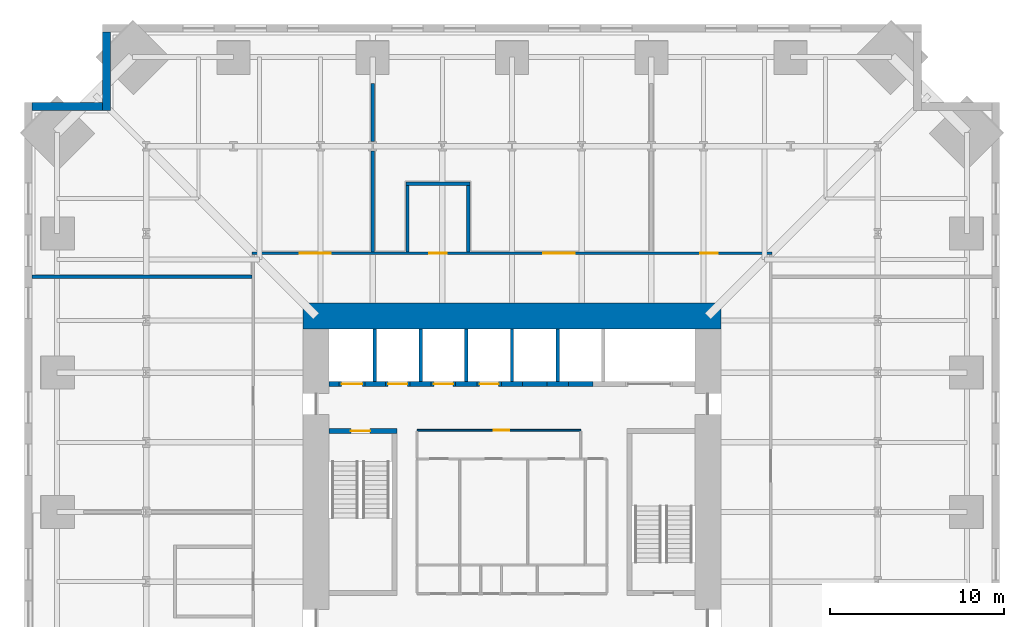
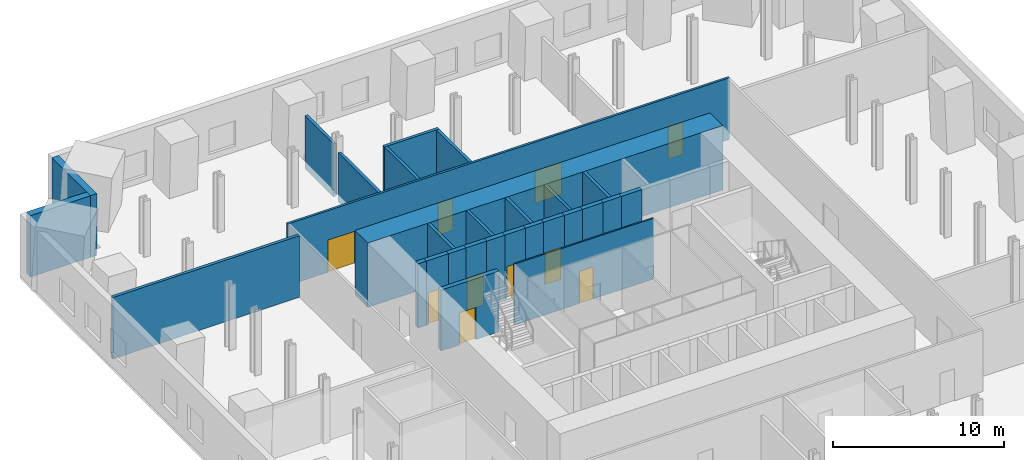
# One storey, part 6 of 8: 29 walls, 10 doors, 10 openings.
"""IFC4 building model written with IfcOpenShell, lengths in metres."""

from ifc_helpers import new_model, si_unit, direction, frame, frame_2d, origin, place, context, subcontext, project, spatial, rectangle, extrude, material, layer, layer_set, type_object, element, fill, save


model = new_model("IFC4")

# Units and contexts
model_context = context("Model", 3, precision=1e-05, world=origin(), true_north=direction((0.0, 1.0)))
body_context = subcontext(model_context, "Body", "Model", "MODEL_VIEW")
ifc_project = project(units=[si_unit("LENGTHUNIT", "METRE"), si_unit("AREAUNIT", "SQUARE_METRE"), si_unit("VOLUMEUNIT", "CUBIC_METRE"), si_unit("PLANEANGLEUNIT", "RADIAN"), si_unit("MASSUNIT", "GRAM", prefix="KILO")], contexts=[model_context])

# Site, building, storey
site_placement = place(None, origin())
site = spatial("IfcSite", under=ifc_project, at=site_placement, CompositionType="ELEMENT")
building_placement = place(site_placement, origin())
building = spatial("IfcBuilding", under=site, at=building_placement, Name="Peilmerk Tower", CompositionType="ELEMENT")
storey_placement = place(building_placement, frame((0.0, 0.0, 118.199951171875)))
storey = spatial("IfcBuildingStorey", under=building, at=storey_placement, Name="L23", CompositionType="ELEMENT", Elevation=118.199951171875)

# Walls
ifc_material_1 = material(Name="Precast concrete C45/55, board-marked finish", Category="concrete")
ifc_layer_1 = layer(ifc_material_1, 0.449951171875)
ifc_layer_set_1 = layer_set([ifc_layer_1], Name="Precast concrete C45/55, board-marked finish")
wall_type_1 = type_object("IfcWallType", Name="EW1 450 precast concrete facade wall, board-marked", PredefinedType="SOLIDWALL", material=ifc_layer_set_1)
wall_1_placement = place(storey_placement, frame((-23.27490234375, 23.050048828125, 0.0), z_axis=(0.0, 0.0, 1.0), x_axis=(0.0, 1.0, 0.0)))
element("IfcWall", 1, at=wall_1_placement, inside=storey, type_object=wall_type_1, Name="Facade wall NWA L23", PredefinedType="SOLIDWALL", context=body_context, shape_type="SweptSolid", body=[
    extrude(rectangle(XDim=4.5, YDim=0.449951171875, at=frame_2d((2.25, 0.0))), origin(), (0.0, 0.0, 1.0), 4.400146484375),
])
wall_2_placement = place(storey_placement, frame((-23.5, 23.27490234375, 0.0), z_axis=(0.0, 0.0, 1.0), x_axis=(-1.0, 0.0, 0.0)))
element("IfcWall", 2, at=wall_2_placement, inside=storey, type_object=wall_type_1, Name="Facade wall NWB L23", PredefinedType="SOLIDWALL", context=body_context, shape_type="SweptSolid", body=[
    extrude(rectangle(XDim=4.050048828125, YDim=0.449951171875, at=frame_2d((2.02490234375, 0.0))), origin(), (0.0, 0.0, 1.0), 4.400146484375),
])

# Wall, openings, doors
ifc_material_2 = material(Name="Calcium silicate block", Category="masonry")
ifc_layer_2 = layer(ifc_material_2, 0.14990234375)
ifc_layer_set_2 = layer_set([ifc_layer_2], Name="Calcium silicate block")
wall_type_2 = type_object("IfcWallType", Name="IW1 150 corridor partition, EI 60", PredefinedType="PARTITIONING", material=ifc_layer_set_2)
wall_3_placement = place(storey_placement, frame((-14.925048828125, 14.85009765625, 0.0), z_axis=(0.0, 0.0, 1.0), x_axis=(1.0, 0.0, 0.0)))
wall_3 = element("IfcWall", 3, at=wall_3_placement, inside=storey, type_object=wall_type_2, Name="Corridor wall N L23", PredefinedType="PARTITIONING", context=body_context, shape_type="SweptSolid", body=[
    extrude(rectangle(XDim=29.85009765625, YDim=0.14990234375, at=frame_2d((14.925048828125, 0.0))), origin(), (0.0, 0.0, 1.0), 4.400146484375),
])
opening_1_placement = place(wall_3_placement, frame((2.72509765625, 0.0, 0.0)))
opening_1 = element("IfcOpeningElement", 4, at=opening_1_placement, cuts=wall_3, Name="Opening D2", PredefinedType="OPENING", context=body_context, shape_type="SweptSolid", body=[
    extrude(rectangle(XDim=1.800048828125, YDim=2.300048828125, at=frame_2d((0.89990234375, 1.14990234375))), frame((0.0, 0.0849609375, 0.0), z_axis=(0.0, -1.0, 0.0), x_axis=(1.0, 0.0, 0.0)), (0.0, 0.0, 1.0), 0.169921875),
])
opening_2_placement = place(wall_3_placement, frame((16.72509765625, 0.0, 0.0)))
opening_2 = element("IfcOpeningElement", 5, at=opening_2_placement, cuts=wall_3, Name="Opening D2", PredefinedType="OPENING", context=body_context, shape_type="SweptSolid", body=[
    extrude(rectangle(XDim=1.800048828125, YDim=2.300048828125, at=frame_2d((0.89990234375, 1.14990234375))), frame((0.0, 0.0849609375, 0.0), z_axis=(0.0, -1.0, 0.0), x_axis=(1.0, 0.0, 0.0)), (0.0, 0.0, 1.0), 0.169921875),
])
opening_3_placement = place(wall_3_placement, frame((25.72509765625, 0.0, 0.0)))
opening_3 = element("IfcOpeningElement", 6, at=opening_3_placement, cuts=wall_3, Name="Opening D1", PredefinedType="OPENING", context=body_context, shape_type="SweptSolid", body=[
    extrude(rectangle(XDim=1.0, YDim=2.300048828125, at=frame_2d((0.5, 1.14990234375))), frame((0.0, 0.0849609375, 0.0), z_axis=(0.0, -1.0, 0.0), x_axis=(1.0, 0.0, 0.0)), (0.0, 0.0, 1.0), 0.169921875),
])
opening_4_placement = place(wall_3_placement, frame((10.175048828125, 0.0, 0.0)))
opening_4 = element("IfcOpeningElement", 7, at=opening_4_placement, cuts=wall_3, Name="Opening D1", PredefinedType="OPENING", context=body_context, shape_type="SweptSolid", body=[
    extrude(rectangle(XDim=1.0, YDim=2.300048828125, at=frame_2d((0.5, 1.14990234375))), frame((0.0, 0.0849609375, 0.0), z_axis=(0.0, -1.0, 0.0), x_axis=(1.0, 0.0, 0.0)), (0.0, 0.0, 1.0), 0.169921875),
])
ifc_material_3 = material(Name="Timber door in steel frame", Category="steel")
door_type_1 = type_object("IfcDoorType", Name="D1 1000x2300 room door, EI2 30", OperationType="SINGLE_SWING_LEFT", PredefinedType="DOOR", material=ifc_material_3)
door_1_placement = place(opening_3_placement, origin())
door_1 = element("IfcDoor", 8, at=door_1_placement, inside=storey, type_object=door_type_1, Name="Door Power room L23", OperationType="SINGLE_SWING_LEFT", OverallHeight=2.300048828125, OverallWidth=1.0, PredefinedType="DOOR", context=body_context, shape_type="SweptSolid", body=[
    extrude(rectangle(XDim=1.0, YDim=2.300048828125, at=frame_2d((0.5, 1.14990234375))), frame((0.0, 0.02490234375, 0.0), z_axis=(0.0, -1.0, 0.0), x_axis=(1.0, 0.0, 0.0)), (0.0, 0.0, 1.0), 0.050048828125),
])
fill(opening_3, door_1)
door_2_placement = place(opening_4_placement, origin())
door_2 = element("IfcDoor", 9, at=door_2_placement, inside=storey, type_object=door_type_1, Name="Door Store L23", OperationType="SINGLE_SWING_LEFT", OverallHeight=2.300048828125, OverallWidth=1.0, PredefinedType="DOOR", context=body_context, shape_type="SweptSolid", body=[
    extrude(rectangle(XDim=1.0, YDim=2.300048828125, at=frame_2d((0.5, 1.14990234375))), frame((0.0, 0.02490234375, 0.0), z_axis=(0.0, -1.0, 0.0), x_axis=(1.0, 0.0, 0.0)), (0.0, 0.0, 1.0), 0.050048828125),
])
fill(opening_4, door_2)
ifc_material_4 = material(Name="Steel door in steel frame", Category="steel")
door_type_2 = type_object("IfcDoorType", Name="D2 1800x2300 double door, EI2 60", OperationType="DOUBLE_DOOR_DOUBLE_SWING", PredefinedType="DOOR", material=ifc_material_4)
door_3_placement = place(opening_1_placement, origin())
door_3 = element("IfcDoor", 10, at=door_3_placement, inside=storey, type_object=door_type_2, Name="Door Mobile switching room L23", OperationType="DOUBLE_DOOR_DOUBLE_SWING", OverallHeight=2.300048828125, OverallWidth=1.800048828125, PredefinedType="DOOR", context=body_context, shape_type="SweptSolid", body=[
    extrude(rectangle(XDim=1.800048828125, YDim=2.300048828125, at=frame_2d((0.89990234375, 1.14990234375))), frame((0.0, 0.02490234375, 0.0), z_axis=(0.0, -1.0, 0.0), x_axis=(1.0, 0.0, 0.0)), (0.0, 0.0, 1.0), 0.050048828125),
])
fill(opening_1, door_3)
door_4_placement = place(opening_2_placement, origin())
door_4 = element("IfcDoor", 11, at=door_4_placement, inside=storey, type_object=door_type_2, Name="Door Transmission room L23", OperationType="DOUBLE_DOOR_DOUBLE_SWING", OverallHeight=2.300048828125, OverallWidth=1.800048828125, PredefinedType="DOOR", context=body_context, shape_type="SweptSolid", body=[
    extrude(rectangle(XDim=1.800048828125, YDim=2.300048828125, at=frame_2d((0.89990234375, 1.14990234375))), frame((0.0, 0.02490234375, 0.0), z_axis=(0.0, -1.0, 0.0), x_axis=(1.0, 0.0, 0.0)), (0.0, 0.0, 1.0), 0.050048828125),
])
fill(opening_2, door_4)

# Walls
ifc_layer_3 = layer(ifc_material_2, 0.199951171875)
ifc_layer_set_3 = layer_set([ifc_layer_3], Name="Calcium silicate block")
wall_type_3 = type_object("IfcWallType", Name="IW2 200 room separating wall, EI 120", PredefinedType="PARTITIONING", material=ifc_layer_set_3)
wall_4_placement = place(storey_placement, frame((-27.550048828125, 13.5, 0.0), z_axis=(0.0, 0.0, 1.0), x_axis=(1.0, 0.0, 0.0)))
element("IfcWall", 12, at=wall_4_placement, inside=storey, type_object=wall_type_3, Name="Room separating wall NW L23", PredefinedType="PARTITIONING", context=body_context, shape_type="SweptSolid", body=[
    extrude(rectangle(XDim=12.625, YDim=0.199951171875, at=frame_2d((6.3125, 0.0))), origin(), (0.0, 0.0, 1.0), 4.400146484375),
])
wall_5_placement = place(storey_placement, frame((-8.0, 14.925048828125, 0.0), z_axis=(0.0, 0.0, 1.0), x_axis=(0.0, 1.0, 0.0)))
element("IfcWall", 13, at=wall_5_placement, inside=storey, type_object=wall_type_3, Name="Room separating wall N1 L23", PredefinedType="PARTITIONING", context=body_context, shape_type="SweptSolid", body=[
    extrude(rectangle(XDim=5.79052734375, YDim=0.199951171875, at=frame_2d((2.895263671875, 0.0))), origin(), (0.0, 0.0, 1.0), 3.510009765625),
])
wall_6_placement = place(storey_placement, frame((-8.0, 21.284423828125, 0.0), z_axis=(0.0, 0.0, 1.0), x_axis=(0.0, 1.0, 0.0)))
element("IfcWall", 14, at=wall_6_placement, inside=storey, type_object=wall_type_3, Name="Room separating wall N1b L23", PredefinedType="PARTITIONING", context=body_context, shape_type="SweptSolid", body=[
    extrude(rectangle(XDim=3.317138671875, YDim=0.199951171875, at=frame_2d((1.65869140625, 0.0))), origin(), (0.0, 0.0, 1.0), 3.800048828125),
])
wall_7_placement = place(storey_placement, frame((-6.10009765625, 18.85009765625, 0.0), z_axis=(0.0, 0.0, 1.0), x_axis=(1.0, 0.0, 0.0)))
element("IfcWall", 15, at=wall_7_placement, inside=storey, type_object=wall_type_3, Name="Room separating wall Store L23", PredefinedType="PARTITIONING", context=body_context, shape_type="SweptSolid", body=[
    extrude(rectangle(XDim=3.7001953125, YDim=0.199951171875, at=frame_2d((1.85009765625, 0.0))), origin(), (0.0, 0.0, 1.0), 4.400146484375),
])
for number, where, z_axis, x_axis, name in (
    (16, (-6.0, 14.925048828125, 0.0), (0.0, 0.0, 1.0), (0.0, 1.0, 0.0), "Room separating wall Store L23"),
    (17, (-2.5, 14.925048828125, 0.0), (0.0, 0.0, 1.0), (0.0, 1.0, 0.0), "Room separating wall Store L23"),
):
    element("IfcWall", number, at=place(storey_placement, frame(where, z_axis=z_axis, x_axis=x_axis)), inside=storey, type_object=wall_type_3, Name=name, PredefinedType="PARTITIONING", context=body_context, shape_type="SweptSolid", body=[
        extrude(rectangle(XDim=3.824951171875, YDim=0.199951171875, at=frame_2d((1.91259765625, 0.0))), origin(), (0.0, 0.0, 1.0), 4.400146484375),
    ])

# Wall, opening, door
ifc_material_5 = material(Name="Concrete C35/45", Category="concrete")
ifc_layer_4 = layer(ifc_material_5, 0.300048828125)
ifc_layer_set_4 = layer_set([ifc_layer_4], Name="Concrete C35/45")
wall_type_4 = type_object("IfcWallType", Name="IW3 300 concrete stair enclosure wall, EI 120", PredefinedType="SOLIDWALL", material=ifc_layer_set_4)
wall_8_placement = place(storey_placement, frame((-10.5, 4.64990234375, 0.0), z_axis=(0.0, 0.0, 1.0), x_axis=(1.0, 0.0, 0.0)))
wall_8 = element("IfcWall", 18, at=wall_8_placement, inside=storey, type_object=wall_type_4, Name="Stair 1 enclosure L23", PredefinedType="SOLIDWALL", context=body_context, shape_type="SweptSolid", body=[
    extrude(rectangle(XDim=3.89990234375, YDim=0.300048828125, at=frame_2d((1.949951171875, 0.0))), origin(), (0.0, 0.0, 1.0), 4.35009765625),
])
opening_5_placement = place(wall_8_placement, frame((1.25, 0.0, 0.0)))
opening_5 = element("IfcOpeningElement", 19, at=opening_5_placement, cuts=wall_8, Name="Opening D4", PredefinedType="OPENING", context=body_context, shape_type="SweptSolid", body=[
    extrude(rectangle(XDim=1.10009765625, YDim=2.300048828125, at=frame_2d((0.550048828125, 1.14990234375))), frame((0.0, 0.159912109375, 0.0), z_axis=(0.0, -1.0, 0.0), x_axis=(1.0, 0.0, 0.0)), (0.0, 0.0, 1.0), 0.320068359375),
])
door_type_3 = type_object("IfcDoorType", Name="D4 1100x2300 stair door, EI2 60", OperationType="SINGLE_SWING_RIGHT", PredefinedType="DOOR", material=ifc_material_4)
door_5_placement = place(opening_5_placement, frame((1.10009765625, 0.0, 0.0), z_axis=(0.0, 0.0, 1.0), x_axis=(-1.0, 0.0, 0.0)))
door_5 = element("IfcDoor", 20, at=door_5_placement, inside=storey, type_object=door_type_3, Name="Stair 1 door L23", OperationType="SINGLE_SWING_RIGHT", OverallHeight=2.300048828125, OverallWidth=1.10009765625, PredefinedType="DOOR", context=body_context, shape_type="SweptSolid", body=[
    extrude(rectangle(XDim=1.10009765625, YDim=2.300048828125, at=frame_2d((0.550048828125, 1.14990234375))), frame((0.0, 0.02490234375, 0.0), z_axis=(0.0, -1.0, 0.0), x_axis=(1.0, 0.0, 0.0)), (0.0, 0.0, 1.0), 0.050048828125),
])
fill(opening_5, door_5)

ifc_material_6 = material(Name="Fire-resisting plasterboard on steel studs", Category="steel")
ifc_layer_5 = layer(ifc_material_6, 0.10009765625)
ifc_layer_set_5 = layer_set([ifc_layer_5], Name="Fire-resisting plasterboard on steel studs")
wall_type_5 = type_object("IfcWallType", Name="IW9 100 WC lobby wall, EI 30", PredefinedType="PARTITIONING", material=ifc_layer_set_5)
wall_9_placement = place(storey_placement, frame((-5.449951171875, 4.699951171875, 0.0), z_axis=(0.0, 0.0, 1.0), x_axis=(1.0, 0.0, 0.0)))
wall_9 = element("IfcWall", 21, at=wall_9_placement, inside=storey, type_object=wall_type_5, Name="WC lobby wall L23", PredefinedType="PARTITIONING", context=body_context, shape_type="SweptSolid", body=[
    extrude(rectangle(XDim=9.39990234375, YDim=0.10009765625, at=frame_2d((4.699951171875, 0.0))), origin(), (0.0, 0.0, 1.0), 4.35009765625),
])
opening_6_placement = place(wall_9_placement, frame((4.39990234375, 0.0, 0.0)))
opening_6 = element("IfcOpeningElement", 22, at=opening_6_placement, cuts=wall_9, Name="Opening D11", PredefinedType="OPENING", context=body_context, shape_type="SweptSolid", body=[
    extrude(rectangle(XDim=0.89990234375, YDim=2.300048828125, at=frame_2d((0.449951171875, 1.14990234375))), frame((0.0, 0.06005859375, 0.0), z_axis=(0.0, -1.0, 0.0), x_axis=(1.0, 0.0, 0.0)), (0.0, 0.0, 1.0), 0.1201171875),
])
door_type_4 = type_object("IfcDoorType", Name="D11 900x2300 WC lobby door, EI2 30", OperationType="SINGLE_SWING_LEFT", PredefinedType="DOOR", material=ifc_material_3)
door_6_placement = place(opening_6_placement, frame((0.89990234375, 0.0, 0.0), z_axis=(0.0, 0.0, 1.0), x_axis=(-1.0, 0.0, 0.0)))
door_6 = element("IfcDoor", 23, at=door_6_placement, inside=storey, type_object=door_type_4, Name="WC lobby door L23", OperationType="SINGLE_SWING_LEFT", OverallHeight=2.300048828125, OverallWidth=0.89990234375, PredefinedType="DOOR", context=body_context, shape_type="SweptSolid", body=[
    extrude(rectangle(XDim=0.89990234375, YDim=2.300048828125, at=frame_2d((0.449951171875, 1.14990234375))), frame((0.0, 0.02490234375, 0.0), z_axis=(0.0, -1.0, 0.0), x_axis=(1.0, 0.0, 0.0)), (0.0, 0.0, 1.0), 0.050048828125),
])
fill(opening_6, door_6)

# Walls
ifc_layer_6 = layer(ifc_material_2, 0.199951171875)
ifc_layer_set_6 = layer_set([ifc_layer_6], Name="Calcium silicate block")
wall_type_6 = type_object("IfcWallType", Name="SH1 200 shaft dividing wall, EI 120", PredefinedType="PARTITIONING", material=ifc_layer_set_6)
for number, where, z_axis, x_axis, name in (
    (24, (-7.875, 7.5, 0.0), (0.0, 0.0, 1.0), (0.0, 1.0, 0.0), "Shaft wall N FL1 L23"),
    (25, (-5.25, 7.5, 0.0), (0.0, 0.0, 1.0), (0.0, 1.0, 0.0), "Shaft wall N A1 L23"),
    (26, (-2.625, 7.5, 0.0), (0.0, 0.0, 1.0), (0.0, 1.0, 0.0), "Shaft wall N A2 L23"),
    (27, (0.0, 7.5, 0.0), (0.0, 0.0, 1.0), (0.0, 1.0, 0.0), "Shaft wall N A3 L23"),
    (28, (2.625, 7.5, 0.0), (0.0, 0.0, 1.0), (0.0, 1.0, 0.0), "Shaft wall N S1 L23"),
):
    element("IfcWall", number, at=place(storey_placement, frame(where, z_axis=z_axis, x_axis=x_axis)), inside=storey, type_object=wall_type_6, Name=name, PredefinedType="PARTITIONING", context=body_context, shape_type="SweptSolid", body=[
        extrude(rectangle(XDim=3.0, YDim=0.199951171875, at=frame_2d((1.5, 0.0))), origin(), (0.0, 0.0, 1.0), 4.60009765625),
    ])

# Wall, opening, door
ifc_layer_7 = layer(ifc_material_2, 0.300048828125)
ifc_layer_set_7 = layer_set([ifc_layer_7], Name="Calcium silicate block")
wall_type_7 = type_object("IfcWallType", Name="SH2 300 lift landing door panel, EI 120", PredefinedType="PARTITIONING", material=ifc_layer_set_7)
wall_10_placement = place(storey_placement, frame((-9.9375, 7.35009765625, 0.0), z_axis=(0.0, 0.0, 1.0), x_axis=(1.0, 0.0, 0.0)))
wall_10 = element("IfcWall", 29, at=wall_10_placement, inside=storey, type_object=wall_type_7, Name="Lift door panel N FL1 L23", PredefinedType="PARTITIONING", context=body_context, shape_type="SweptSolid", body=[
    extrude(rectangle(XDim=1.5, YDim=0.300048828125, at=frame_2d((0.75, 0.0))), origin(), (0.0, 0.0, 1.0), 4.60009765625),
])
opening_7_placement = place(wall_10_placement, frame((0.14990234375, 0.0, 0.0)))
opening_7 = element("IfcOpeningElement", 30, at=opening_7_placement, cuts=wall_10, Name="Opening LD2", PredefinedType="OPENING", context=body_context, shape_type="SweptSolid", body=[
    extrude(rectangle(XDim=1.199951171875, YDim=2.300048828125, at=frame_2d((0.60009765625, 1.14990234375))), frame((0.0, 0.159912109375, 0.0), z_axis=(0.0, -1.0, 0.0), x_axis=(1.0, 0.0, 0.0)), (0.0, 0.0, 1.0), 0.320068359375),
])
ifc_material_7 = material(Name="Stainless steel landing door", Category="steel")
door_type_5 = type_object("IfcDoorType", Name="LD2 1200x2300 lift landing door, sliding, EI2 60", OperationType="SLIDING_TO_LEFT", PredefinedType="DOOR", material=ifc_material_7)
door_7_placement = place(opening_7_placement, frame((1.199951171875, 0.0, 0.0), z_axis=(0.0, 0.0, 1.0), x_axis=(-1.0, 0.0, 0.0)))
door_7 = element("IfcDoor", 31, at=door_7_placement, inside=storey, type_object=door_type_5, Name="Lift landing door FL1 L23", OperationType="SLIDING_TO_LEFT", OverallHeight=2.300048828125, OverallWidth=1.199951171875, PredefinedType="DOOR", context=body_context, shape_type="SweptSolid", body=[
    extrude(rectangle(XDim=1.199951171875, YDim=2.300048828125, at=frame_2d((0.60009765625, 1.14990234375))), frame((0.0, 0.02490234375, 0.0), z_axis=(0.0, -1.0, 0.0), x_axis=(1.0, 0.0, 0.0)), (0.0, 0.0, 1.0), 0.050048828125),
])
fill(opening_7, door_7)

wall_11_placement = place(storey_placement, frame((-7.262451171875, 7.35009765625, 0.0), z_axis=(0.0, 0.0, 1.0), x_axis=(1.0, 0.0, 0.0)))
wall_11 = element("IfcWall", 32, at=wall_11_placement, inside=storey, type_object=wall_type_7, Name="Lift door panel N A1 L23", PredefinedType="PARTITIONING", context=body_context, shape_type="SweptSolid", body=[
    extrude(rectangle(XDim=1.39990234375, YDim=0.300048828125, at=frame_2d((0.699951171875, 0.0))), origin(), (0.0, 0.0, 1.0), 4.60009765625),
])
opening_8_placement = place(wall_11_placement, frame((0.14990234375, 0.0, 0.0)))
opening_8 = element("IfcOpeningElement", 33, at=opening_8_placement, cuts=wall_11, Name="Opening LD1", PredefinedType="OPENING", context=body_context, shape_type="SweptSolid", body=[
    extrude(rectangle(XDim=1.10009765625, YDim=2.300048828125, at=frame_2d((0.550048828125, 1.14990234375))), frame((0.0, 0.159912109375, 0.0), z_axis=(0.0, -1.0, 0.0), x_axis=(1.0, 0.0, 0.0)), (0.0, 0.0, 1.0), 0.320068359375),
])
door_type_6 = type_object("IfcDoorType", Name="LD1 1100x2300 lift landing door, sliding, EI2 60", OperationType="SLIDING_TO_LEFT", PredefinedType="DOOR", material=ifc_material_7)
door_8_placement = place(opening_8_placement, frame((1.10009765625, 0.0, 0.0), z_axis=(0.0, 0.0, 1.0), x_axis=(-1.0, 0.0, 0.0)))
door_8 = element("IfcDoor", 34, at=door_8_placement, inside=storey, type_object=door_type_6, Name="Lift landing door A1 L23", OperationType="SLIDING_TO_LEFT", OverallHeight=2.300048828125, OverallWidth=1.10009765625, PredefinedType="DOOR", context=body_context, shape_type="SweptSolid", body=[
    extrude(rectangle(XDim=1.10009765625, YDim=2.300048828125, at=frame_2d((0.550048828125, 1.14990234375))), frame((0.0, 0.02490234375, 0.0), z_axis=(0.0, -1.0, 0.0), x_axis=(1.0, 0.0, 0.0)), (0.0, 0.0, 1.0), 0.050048828125),
])
fill(opening_8, door_8)

wall_12_placement = place(storey_placement, frame((-4.637451171875, 7.35009765625, 0.0), z_axis=(0.0, 0.0, 1.0), x_axis=(1.0, 0.0, 0.0)))
wall_12 = element("IfcWall", 35, at=wall_12_placement, inside=storey, type_object=wall_type_7, Name="Lift door panel N A2 L23", PredefinedType="PARTITIONING", context=body_context, shape_type="SweptSolid", body=[
    extrude(rectangle(XDim=1.39990234375, YDim=0.300048828125, at=frame_2d((0.699951171875, 0.0))), origin(), (0.0, 0.0, 1.0), 4.60009765625),
])
opening_9_placement = place(wall_12_placement, frame((0.14990234375, 0.0, 0.0)))
opening_9 = element("IfcOpeningElement", 36, at=opening_9_placement, cuts=wall_12, Name="Opening LD1", PredefinedType="OPENING", context=body_context, shape_type="SweptSolid", body=[
    extrude(rectangle(XDim=1.10009765625, YDim=2.300048828125, at=frame_2d((0.550048828125, 1.14990234375))), frame((0.0, 0.159912109375, 0.0), z_axis=(0.0, -1.0, 0.0), x_axis=(1.0, 0.0, 0.0)), (0.0, 0.0, 1.0), 0.320068359375),
])
door_9_placement = place(opening_9_placement, frame((1.10009765625, 0.0, 0.0), z_axis=(0.0, 0.0, 1.0), x_axis=(-1.0, 0.0, 0.0)))
door_9 = element("IfcDoor", 37, at=door_9_placement, inside=storey, type_object=door_type_6, Name="Lift landing door A2 L23", OperationType="SLIDING_TO_LEFT", OverallHeight=2.300048828125, OverallWidth=1.10009765625, PredefinedType="DOOR", context=body_context, shape_type="SweptSolid", body=[
    extrude(rectangle(XDim=1.10009765625, YDim=2.300048828125, at=frame_2d((0.550048828125, 1.14990234375))), frame((0.0, 0.02490234375, 0.0), z_axis=(0.0, -1.0, 0.0), x_axis=(1.0, 0.0, 0.0)), (0.0, 0.0, 1.0), 0.050048828125),
])
fill(opening_9, door_9)

wall_13_placement = place(storey_placement, frame((-2.012451171875, 7.35009765625, 0.0), z_axis=(0.0, 0.0, 1.0), x_axis=(1.0, 0.0, 0.0)))
wall_13 = element("IfcWall", 38, at=wall_13_placement, inside=storey, type_object=wall_type_7, Name="Lift door panel N A3 L23", PredefinedType="PARTITIONING", context=body_context, shape_type="SweptSolid", body=[
    extrude(rectangle(XDim=1.39990234375, YDim=0.300048828125, at=frame_2d((0.699951171875, 0.0))), origin(), (0.0, 0.0, 1.0), 4.60009765625),
])
opening_10_placement = place(wall_13_placement, frame((0.14990234375, 0.0, 0.0)))
opening_10 = element("IfcOpeningElement", 39, at=opening_10_placement, cuts=wall_13, Name="Opening LD1", PredefinedType="OPENING", context=body_context, shape_type="SweptSolid", body=[
    extrude(rectangle(XDim=1.10009765625, YDim=2.300048828125, at=frame_2d((0.550048828125, 1.14990234375))), frame((0.0, 0.159912109375, 0.0), z_axis=(0.0, -1.0, 0.0), x_axis=(1.0, 0.0, 0.0)), (0.0, 0.0, 1.0), 0.320068359375),
])
door_10_placement = place(opening_10_placement, frame((1.10009765625, 0.0, 0.0), z_axis=(0.0, 0.0, 1.0), x_axis=(-1.0, 0.0, 0.0)))
door_10 = element("IfcDoor", 40, at=door_10_placement, inside=storey, type_object=door_type_6, Name="Lift landing door A3 L23", OperationType="SLIDING_TO_LEFT", OverallHeight=2.300048828125, OverallWidth=1.10009765625, PredefinedType="DOOR", context=body_context, shape_type="SweptSolid", body=[
    extrude(rectangle(XDim=1.10009765625, YDim=2.300048828125, at=frame_2d((0.550048828125, 1.14990234375))), frame((0.0, 0.02490234375, 0.0), z_axis=(0.0, -1.0, 0.0), x_axis=(1.0, 0.0, 0.0)), (0.0, 0.0, 1.0), 0.050048828125),
])
fill(opening_10, door_10)

# Walls
for number, where, z_axis, x_axis, name in (
    (41, (0.612548828125, 7.35009765625, 0.0), (0.0, 0.0, 1.0), (1.0, 0.0, 0.0), "Lift door panel N S1 L23"),
    (42, (3.237548828125, 7.35009765625, 0.0), (0.0, 0.0, 1.0), (1.0, 0.0, 0.0), "Lift door panel N S2 L23"),
):
    element("IfcWall", number, at=place(storey_placement, frame(where, z_axis=z_axis, x_axis=x_axis)), inside=storey, type_object=wall_type_7, Name=name, PredefinedType="PARTITIONING", context=body_context, shape_type="SweptSolid", body=[
        extrude(rectangle(XDim=1.39990234375, YDim=0.300048828125, at=frame_2d((0.699951171875, 0.0))), origin(), (0.0, 0.0, 1.0), 4.60009765625),
    ])
ifc_material_8 = material(Name="Concrete C55/67", Category="concrete")
ifc_layer_8 = layer(ifc_material_8, 1.5)
ifc_layer_set_8 = layer_set([ifc_layer_8], Name="Concrete C55/67")
wall_type_8 = type_object("IfcWallType", Name="SW1 1500 core wall", PredefinedType="SHEAR", material=ifc_layer_set_8)
wall_14_placement = place(storey_placement, frame((-12.0, 11.25, 0.0), z_axis=(0.0, 0.0, 1.0), x_axis=(1.0, 0.0, 0.0)))
element("IfcWall", 43, at=wall_14_placement, inside=storey, type_object=wall_type_8, Name="Core wall N L23", PredefinedType="SHEAR", context=body_context, shape_type="SweptSolid", body=[
    extrude(rectangle(XDim=24.0, YDim=1.5, at=frame_2d((12.0, 0.0))), origin(), (0.0, 0.0, 1.0), 4.60009765625),
])
ifc_layer_9 = layer(ifc_material_8, 0.300048828125)
ifc_layer_set_9 = layer_set([ifc_layer_9], Name="Concrete C55/67")
wall_type_9 = type_object("IfcWallType", Name="SW2 300 lift bank pier", PredefinedType="SHEAR", material=ifc_layer_set_9)
wall_15_placement = place(storey_placement, frame((-10.5, 7.35009765625, 0.0), z_axis=(0.0, 0.0, 1.0), x_axis=(1.0, 0.0, 0.0)))
element("IfcWall", 44, at=wall_15_placement, inside=storey, type_object=wall_type_9, Name="Lift bank pier N L23", PredefinedType="SHEAR", context=body_context, shape_type="SweptSolid", body=[
    extrude(rectangle(XDim=0.5625, YDim=0.300048828125, at=frame_2d((0.28125, 0.0))), origin(), (0.0, 0.0, 1.0), 4.60009765625),
])
wall_16_placement = place(storey_placement, frame((-8.4375, 7.35009765625, 0.0), z_axis=(0.0, 0.0, 1.0), x_axis=(1.0, 0.0, 0.0)))
element("IfcWall", 45, at=wall_16_placement, inside=storey, type_object=wall_type_9, Name="Lift bank pier N L23", PredefinedType="SHEAR", context=body_context, shape_type="SweptSolid", body=[
    extrude(rectangle(XDim=1.175048828125, YDim=0.300048828125, at=frame_2d((0.58740234375, 0.0))), origin(), (0.0, 0.0, 1.0), 4.60009765625),
])
for number, where, z_axis, x_axis, name in (
    (46, (-5.862548828125, 7.35009765625, 0.0), (0.0, 0.0, 1.0), (1.0, 0.0, 0.0), "Lift bank pier N L23"),
    (47, (-3.237548828125, 7.35009765625, 0.0), (0.0, 0.0, 1.0), (1.0, 0.0, 0.0), "Lift bank pier N L23"),
    (48, (-0.612548828125, 7.35009765625, 0.0), (0.0, 0.0, 1.0), (1.0, 0.0, 0.0), "Lift bank pier N L23"),
    (49, (2.012451171875, 7.35009765625, 0.0), (0.0, 0.0, 1.0), (1.0, 0.0, 0.0), "Lift bank pier N L23"),
):
    element("IfcWall", number, at=place(storey_placement, frame(where, z_axis=z_axis, x_axis=x_axis)), inside=storey, type_object=wall_type_9, Name=name, PredefinedType="SHEAR", context=body_context, shape_type="SweptSolid", body=[
        extrude(rectangle(XDim=1.22509765625, YDim=0.300048828125, at=frame_2d((0.612548828125, 0.0))), origin(), (0.0, 0.0, 1.0), 4.60009765625),
    ])

save(model, "model.ifc")
